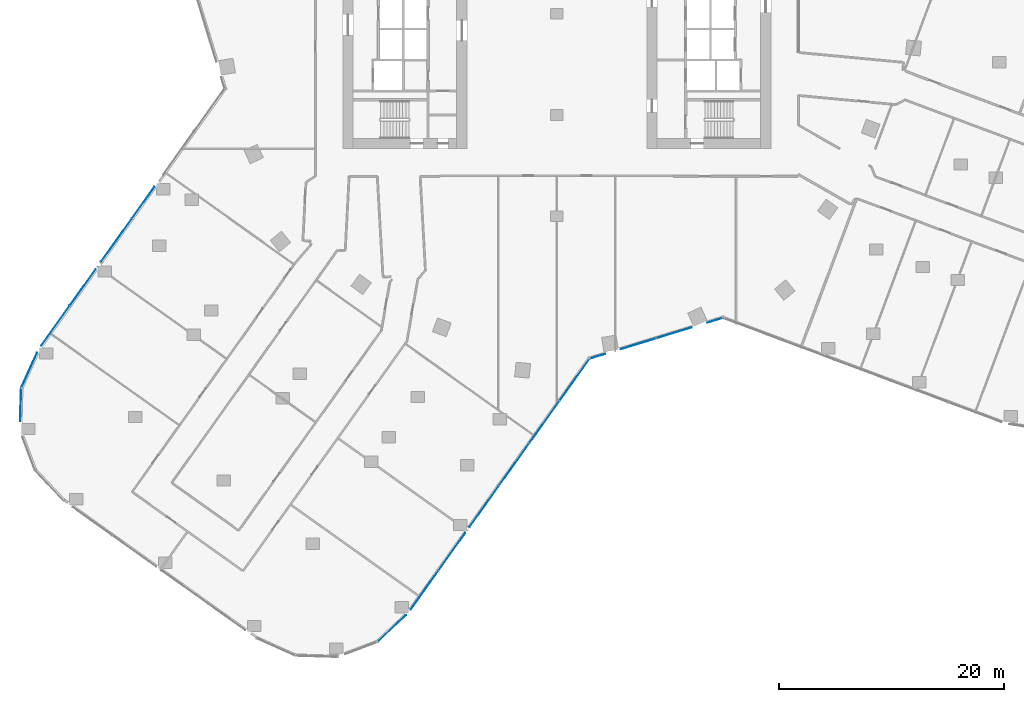
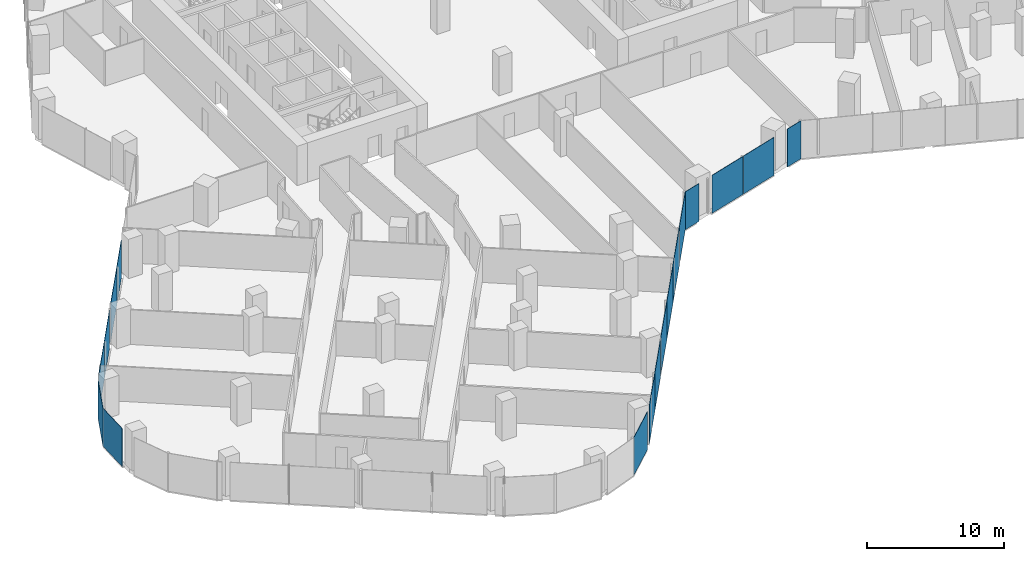
# One storey, part 17 of 31: 17 plates, 6 elements without a shape of their own.
"""IFC4 building model written with IfcOpenShell, lengths in metres."""

from ifc_helpers import new_model, si_unit, direction, frame, origin, origin_2d, place, context, subcontext, project, spatial, rectangle, extrude, material, layer, layer_set, type_object, element, aggregate, save


model = new_model("IFC4")

# Units and contexts
model_context = context("Model", 3, precision=1e-05, world=origin(), true_north=direction((0.0, 1.0)))
body_context = subcontext(model_context, "Body", "Model", "MODEL_VIEW")
ifc_project = project(units=[si_unit("LENGTHUNIT", "METRE"), si_unit("AREAUNIT", "SQUARE_METRE"), si_unit("VOLUMEUNIT", "CUBIC_METRE"), si_unit("PLANEANGLEUNIT", "RADIAN"), si_unit("MASSUNIT", "GRAM", prefix="KILO")], contexts=[model_context])

# Site, building, storey
site_placement = place(None, origin())
site = spatial("IfcSite", under=ifc_project, at=site_placement, CompositionType="ELEMENT")
building_placement = place(site_placement, origin())
building = spatial("IfcBuilding", under=site, at=building_placement, Name="Orlundy Tower", CompositionType="ELEMENT")
storey_placement = place(building_placement, frame((0.0, 0.0, 84.199951171875)))
storey = spatial("IfcBuildingStorey", under=building, at=storey_placement, Name="L20", CompositionType="ELEMENT", Elevation=84.199951171875)

# Curtain wall, plates
ifc_material_1 = material(Name="Aluminium bronze anodised", Category="aluminium")
curtain_wall_type = type_object("IfcCurtainWallType", Name="CW1 wall", PredefinedType="NOTDEFINED", material=ifc_material_1)
curtain_wall_1_placement = place(storey_placement, origin())
curtain_wall_1 = element("IfcCurtainWall", 1, at=curtain_wall_1_placement, inside=storey, type_object=curtain_wall_type, Name="CW1 run 00", PredefinedType="NOTDEFINED")
ifc_material_2 = material(Name="Tinted glass", Category="glass")
ifc_layer = layer(ifc_material_2, 0.031982421875)
ifc_layer_set = layer_set([ifc_layer], Name="CW1 glass panel 32")
plate_type = type_object("IfcPlateType", Name="CW1 glass panel 32", PredefinedType="CURTAIN_PANEL", material=ifc_layer_set)
plate_1_placement = place(storey_placement, frame((-44.547119140625, -27.729736328125, -0.27978515625), z_axis=(0.0, 0.0, 1.0), x_axis=(0.580700988829, 0.814116921316, 0.0)))
plate_1 = element("IfcPlate", 2, at=plate_1_placement, type_object=plate_type, Name="CW1 panel", PredefinedType="CURTAIN_PANEL", context=body_context, shape_type="SweptSolid", body=[
    extrude(rectangle(XDim=4.3486328125, YDim=0.031982421875, at=origin_2d()), origin(), (0.0, 0.0, 1.0), 3.3798828125),
])
plate_2_placement = place(storey_placement, frame((-42.10986328125, -24.312744140625, -0.27978515625), z_axis=(0.0, 0.0, 1.0), x_axis=(0.580700988829, 0.814116921316, 0.0)))
plate_2 = element("IfcPlate", 3, at=plate_2_placement, type_object=plate_type, Name="CW1 panel", PredefinedType="CURTAIN_PANEL", context=body_context, shape_type="SweptSolid", body=[
    extrude(rectangle(XDim=3.946044921875, YDim=0.031982421875, at=origin_2d()), origin(), (0.0, 0.0, 1.0), 3.3798828125),
])
plate_3_placement = place(storey_placement, frame((-39.127685546875, -20.132080078125, -0.27978515625), z_axis=(0.0, 0.0, 1.0), x_axis=(0.580700988829, 0.814116921316, 0.0)))
plate_3 = element("IfcPlate", 4, at=plate_3_placement, type_object=plate_type, Name="CW1 panel", PredefinedType="CURTAIN_PANEL", context=body_context, shape_type="SweptSolid", body=[
    extrude(rectangle(XDim=4.70556640625, YDim=0.031982421875, at=origin_2d()), origin(), (0.0, 0.0, 1.0), 3.3798828125),
])
plate_4_placement = place(storey_placement, frame((-36.74462890625, -16.791015625, -0.27978515625), z_axis=(0.0, 0.0, 1.0), x_axis=(0.580700988829, 0.814116921316, 0.0)))
plate_4 = element("IfcPlate", 5, at=plate_4_placement, type_object=plate_type, Name="CW1 panel", PredefinedType="CURTAIN_PANEL", context=body_context, shape_type="SweptSolid", body=[
    extrude(rectangle(XDim=3.40185546875, YDim=0.031982421875, at=origin_2d()), origin(), (0.0, 0.0, 1.0), 3.3798828125),
])
aggregate(curtain_wall_1, [plate_1, plate_2, plate_3, plate_4])

curtain_wall_2_placement = place(storey_placement, origin())
curtain_wall_2 = element("IfcCurtainWall", 6, at=curtain_wall_2_placement, inside=storey, type_object=curtain_wall_type, Name="CW1 run 017", PredefinedType="NOTDEFINED")
plate_5_placement = place(storey_placement, frame((14.0458984375, -27.248291015625, -0.27978515625), z_axis=(0.0, 0.0, 1.0), x_axis=(-0.956321102205, -0.292318233228, 0.0)))
plate_5 = element("IfcPlate", 7, at=plate_5_placement, type_object=plate_type, Name="CW1 panel", PredefinedType="CURTAIN_PANEL", context=body_context, shape_type="SweptSolid", body=[
    extrude(rectangle(XDim=1.44482421875, YDim=0.031982421875, at=origin_2d()), origin(), (0.0, 0.0, 1.0), 3.3798828125),
])
plate_6_placement = place(storey_placement, frame((10.412353515625, -28.35888671875, -0.27978515625), z_axis=(0.0, 0.0, 1.0), x_axis=(-0.956321102205, -0.292318233228, 0.0)))
plate_6 = element("IfcPlate", 8, at=plate_6_placement, type_object=plate_type, Name="CW1 panel", PredefinedType="CURTAIN_PANEL", context=body_context, shape_type="SweptSolid", body=[
    extrude(rectangle(XDim=3.281494140625, YDim=0.031982421875, at=origin_2d()), origin(), (0.0, 0.0, 1.0), 3.3798828125),
])
plate_7_placement = place(storey_placement, frame((7.226318359375, -29.332763671875, -0.27978515625), z_axis=(0.0, 0.0, 1.0), x_axis=(-0.956321102205, -0.292318233228, 0.0)))
plate_7 = element("IfcPlate", 9, at=plate_7_placement, type_object=plate_type, Name="CW1 panel", PredefinedType="CURTAIN_PANEL", context=body_context, shape_type="SweptSolid", body=[
    extrude(rectangle(XDim=3.28173828125, YDim=0.031982421875, at=origin_2d()), origin(), (0.0, 0.0, 1.0), 3.3798828125),
])
plate_8_placement = place(storey_placement, frame((3.59326171875, -30.443359375, -0.27978515625), z_axis=(0.0, 0.0, 1.0), x_axis=(-0.956321102205, -0.292318233228, 0.0)))
plate_8 = element("IfcPlate", 10, at=plate_8_placement, type_object=plate_type, Name="CW1 panel", PredefinedType="CURTAIN_PANEL", context=body_context, shape_type="SweptSolid", body=[
    extrude(rectangle(XDim=1.445556640625, YDim=0.031982421875, at=origin_2d()), origin(), (0.0, 0.0, 1.0), 3.3798828125),
])
aggregate(curtain_wall_2, [plate_5, plate_6, plate_7, plate_8])

curtain_wall_3_placement = place(storey_placement, origin())
curtain_wall_3 = element("IfcCurtainWall", 11, at=curtain_wall_3_placement, inside=storey, type_object=curtain_wall_type, Name="CW1 run 018", PredefinedType="NOTDEFINED")
plate_9_placement = place(storey_placement, frame((1.5810546875, -32.5068359375, -0.27978515625), z_axis=(0.0, 0.0, 1.0), x_axis=(-0.580710369629, -0.814110230009, 0.0)))
plate_9 = element("IfcPlate", 12, at=plate_9_placement, type_object=plate_type, Name="CW1 panel", PredefinedType="CURTAIN_PANEL", context=body_context, shape_type="SweptSolid", body=[
    extrude(rectangle(XDim=4.550048828125, YDim=0.031982421875, at=origin_2d()), origin(), (0.0, 0.0, 1.0), 3.3798828125),
])
plate_10_placement = place(storey_placement, frame((-1.09912109375, -36.26416015625, -0.27978515625), z_axis=(0.0, 0.0, 1.0), x_axis=(-0.580710369629, -0.814110230009, 0.0)))
plate_10 = element("IfcPlate", 13, at=plate_10_placement, type_object=plate_type, Name="CW1 panel", PredefinedType="CURTAIN_PANEL", context=body_context, shape_type="SweptSolid", body=[
    extrude(rectangle(XDim=4.580810546875, YDim=0.031982421875, at=origin_2d()), origin(), (0.0, 0.0, 1.0), 3.3798828125),
])
plate_11_placement = place(storey_placement, frame((-3.788330078125, -40.0341796875, -0.27978515625), z_axis=(0.0, 0.0, 1.0), x_axis=(-0.580710369629, -0.814110230009, 0.0)))
plate_11 = element("IfcPlate", 14, at=plate_11_placement, type_object=plate_type, Name="CW1 panel", PredefinedType="CURTAIN_PANEL", context=body_context, shape_type="SweptSolid", body=[
    extrude(rectangle(XDim=4.580810546875, YDim=0.031982421875, at=origin_2d()), origin(), (0.0, 0.0, 1.0), 3.3798828125),
])
plate_12_placement = place(storey_placement, frame((-6.461669921875, -43.781982421875, -0.27978515625), z_axis=(0.0, 0.0, 1.0), x_axis=(-0.580710369629, -0.814110230009, 0.0)))
plate_12 = element("IfcPlate", 15, at=plate_12_placement, type_object=plate_type, Name="CW1 panel", PredefinedType="CURTAIN_PANEL", context=body_context, shape_type="SweptSolid", body=[
    extrude(rectangle(XDim=4.5263671875, YDim=0.031982421875, at=origin_2d()), origin(), (0.0, 0.0, 1.0), 3.3798828125),
])
plate_13_placement = place(storey_placement, frame((-9.317138671875, -47.784912109375, -0.27978515625), z_axis=(0.0, 0.0, 1.0), x_axis=(-0.580710369629, -0.814110230009, 0.0)))
plate_13 = element("IfcPlate", 16, at=plate_13_placement, type_object=plate_type, Name="CW1 panel", PredefinedType="CURTAIN_PANEL", context=body_context, shape_type="SweptSolid", body=[
    extrude(rectangle(XDim=4.063232421875, YDim=0.031982421875, at=origin_2d()), origin(), (0.0, 0.0, 1.0), 3.3798828125),
])
plate_14_placement = place(storey_placement, frame((-11.75439453125, -51.201904296875, -0.27978515625), z_axis=(0.0, 0.0, 1.0), x_axis=(-0.580710369629, -0.814110230009, 0.0)))
plate_14 = element("IfcPlate", 17, at=plate_14_placement, type_object=plate_type, Name="CW1 panel", PredefinedType="CURTAIN_PANEL", context=body_context, shape_type="SweptSolid", body=[
    extrude(rectangle(XDim=4.231201171875, YDim=0.031982421875, at=origin_2d()), origin(), (0.0, 0.0, 1.0), 3.3798828125),
])
aggregate(curtain_wall_3, [plate_9, plate_10, plate_11, plate_12, plate_13, plate_14])

# Curtain wall, plate
curtain_wall_4_placement = place(storey_placement, origin())
curtain_wall_4 = element("IfcCurtainWall", 18, at=curtain_wall_4_placement, inside=storey, type_object=curtain_wall_type, Name="CW1 run 019", PredefinedType="NOTDEFINED")
plate_15_placement = place(storey_placement, frame((-14.67724609375, -54.623291015625, -0.27978515625), z_axis=(0.0, 0.0, 1.0), x_axis=(-0.72823167665, -0.685331033241, 0.0)))
plate_15 = element("IfcPlate", 19, at=plate_15_placement, type_object=plate_type, Name="CW1 panel", PredefinedType="CURTAIN_PANEL", context=body_context, shape_type="SweptSolid", body=[
    extrude(rectangle(XDim=3.479736328125, YDim=0.031982421875, at=origin_2d()), origin(), (0.0, 0.0, 1.0), 3.3798828125),
])
aggregate(curtain_wall_4, [plate_15])

curtain_wall_5_placement = place(storey_placement, origin())
curtain_wall_5 = element("IfcCurtainWall", 20, at=curtain_wall_5_placement, inside=storey, type_object=curtain_wall_type, Name="CW1 run 026", PredefinedType="NOTDEFINED")
plate_16_placement = place(storey_placement, frame((-47.62890625, -34.71923828125, -0.27978515625), z_axis=(0.0, 0.0, 1.0), x_axis=(0.030485149754, 0.999535219812, 0.0)))
plate_16 = element("IfcPlate", 21, at=plate_16_placement, type_object=plate_type, Name="CW1 panel", PredefinedType="CURTAIN_PANEL", context=body_context, shape_type="SweptSolid", body=[
    extrude(rectangle(XDim=2.945068359375, YDim=0.031982421875, at=origin_2d()), origin(), (0.0, 0.0, 1.0), 3.3798828125),
])
aggregate(curtain_wall_5, [plate_16])

curtain_wall_6_placement = place(storey_placement, origin())
curtain_wall_6 = element("IfcCurtainWall", 22, at=curtain_wall_6_placement, inside=storey, type_object=curtain_wall_type, Name="CW1 run 027", PredefinedType="NOTDEFINED")
plate_17_placement = place(storey_placement, frame((-46.87744140625, -31.679931640625, -0.27978515625), z_axis=(0.0, 0.0, 1.0), x_axis=(0.410914311157, 0.911673970719, 0.0)))
plate_17 = element("IfcPlate", 23, at=plate_17_placement, type_object=plate_type, Name="CW1 panel", PredefinedType="CURTAIN_PANEL", context=body_context, shape_type="SweptSolid", body=[
    extrude(rectangle(XDim=3.4384765625, YDim=0.031982421875, at=origin_2d()), origin(), (0.0, 0.0, 1.0), 3.3798828125),
])
aggregate(curtain_wall_6, [plate_17])

save(model, "model.ifc")
